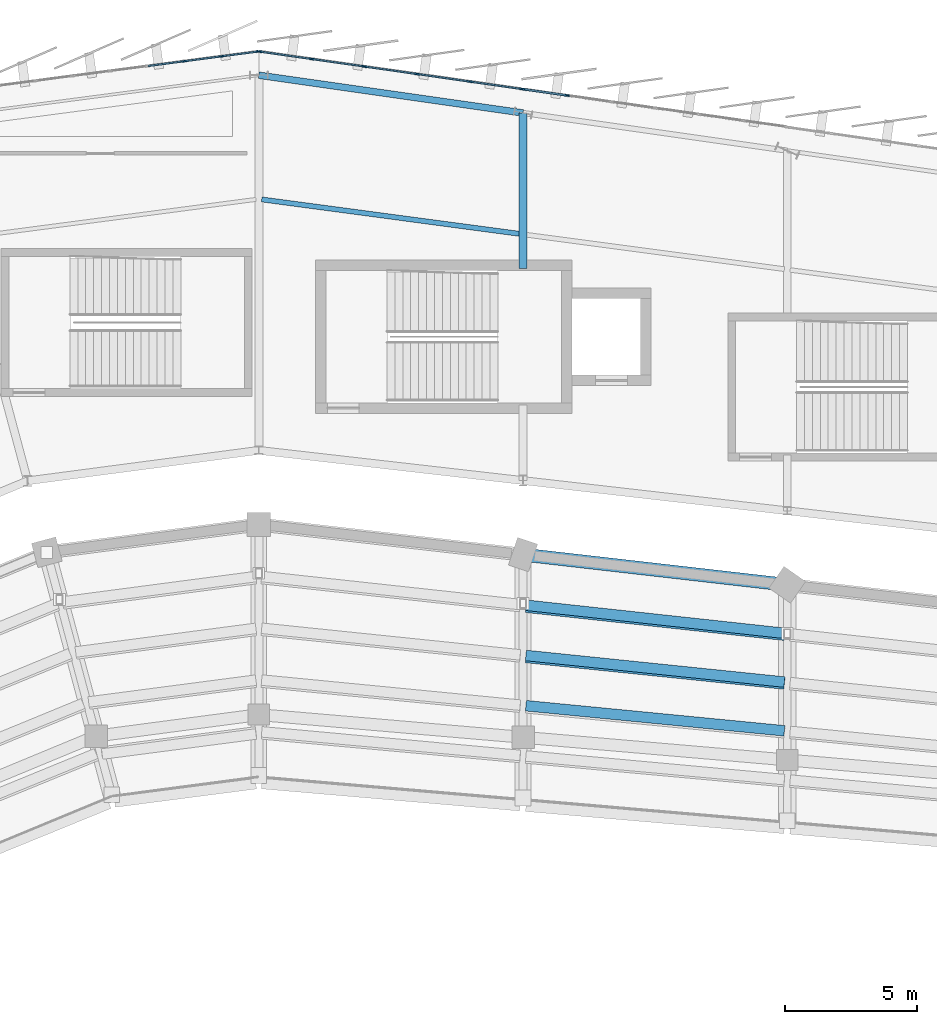
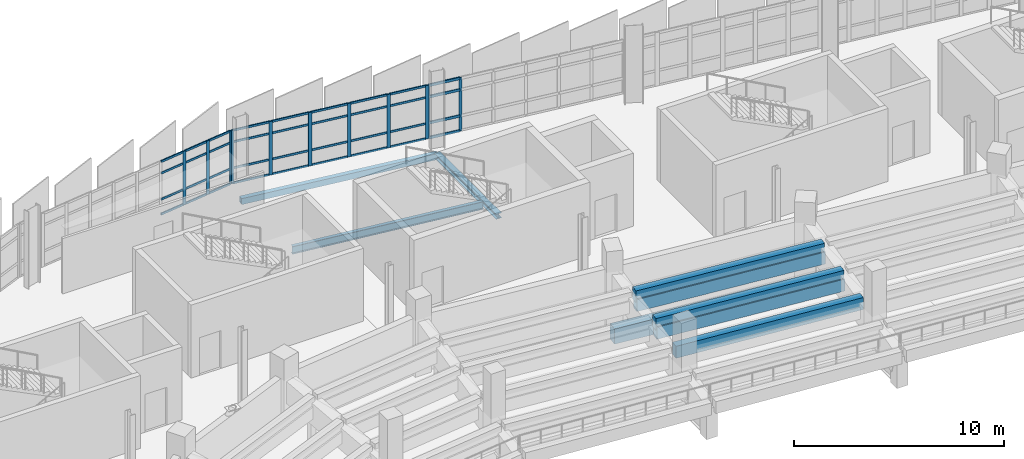
# One storey, part 52 of 120: 47 members, 9 beams, 3 elements without a shape of their own.
"""IFC4 building model written with IfcOpenShell, lengths in metres."""

import ifcopenshell
import ifcopenshell.guid

model = None  # the IFC model being written
_history = None  # IfcOwnerHistory: only IFC2X3 demands one
_inside = {}  # id of a spatial element -> (the spatial element, [elements in it])
_under = {}  # id of a project, library or spatial element -> (it, [spatial elements below it])
_declared = {}  # id of a project -> (the project, [libraries it declares])
_typed = {}  # id of a type object -> (the type object, [elements of that type])
_made_of = {}  # id of a material, layer set ... -> (it, [elements and type objects made of it])


def new_model(schema):
    """Start an empty IFC model of exactly this schema.

    Asked for "IFC4X3", IfcOpenShell would pick the latest addendum, in which some entities
    have other attributes; the version numbers below select the first issue.
    IFC2X3 requires an IfcOwnerHistory on every rooted entity: one is made here for all.
    """
    global model, _history
    if schema == "IFC4X3":
        model = ifcopenshell.file(schema_version=(4, 3, 0, 0))
    else:
        model = ifcopenshell.file(schema=schema)
    _inside.clear()
    _under.clear()
    _declared.clear()
    _typed.clear()
    _made_of.clear()
    _history = None
    if model.schema == "IFC2X3":
        org = make("IfcOrganization", Name="unknown")
        user = make(
            "IfcPersonAndOrganization",
            ThePerson=make("IfcPerson", FamilyName="unknown"),
            TheOrganization=org,
        )
        app = make(
            "IfcApplication",
            ApplicationDeveloper=org,
            Version="unknown",
            ApplicationFullName="unknown",
            ApplicationIdentifier="unknown",
        )
        _history = make(
            "IfcOwnerHistory",
            OwningUser=user,
            OwningApplication=app,
            ChangeAction="ADDED",
            CreationDate=0,
        )
    return model


def make(cls, **values):
    """One entity of the class cls with the attributes given. An attribute that is None is left unset."""
    return model.create_entity(
        cls, **{name: value for name, value in values.items() if value is not None}
    )


def rooted(cls, **values):
    """An entity with a GlobalId (a new one), such as an element, a storey or a relation."""
    return make(cls, GlobalId=ifcopenshell.guid.new(), OwnerHistory=_history, **values)


def si_unit(unit_type, name, prefix=None):
    """IfcSIUnit, for example si_unit("LENGTHUNIT", "METRE", prefix="MILLI")."""
    return make("IfcSIUnit", UnitType=unit_type, Prefix=prefix, Name=name)


def assignment(units):
    """IfcUnitAssignment: the units of a project."""
    return None if units is None else make("IfcUnitAssignment", Units=units)


def point(xyz):
    """IfcCartesianPoint."""
    return None if xyz is None else make("IfcCartesianPoint", Coordinates=xyz)


def direction(xyz):
    """IfcDirection."""
    return None if xyz is None else make("IfcDirection", DirectionRatios=xyz)


def frame(location, z_axis=None, x_axis=None):
    """IfcAxis2Placement3D, a coordinate frame: its origin and axes. An axis left out is left unset."""
    return make(
        "IfcAxis2Placement3D",
        Location=point(location),
        Axis=direction(z_axis),
        RefDirection=direction(x_axis),
    )


def frame_2d(location, x_axis=None):
    """IfcAxis2Placement2D, a coordinate frame in the plane: its origin and x axis."""
    return make(
        "IfcAxis2Placement2D", Location=point(location), RefDirection=direction(x_axis)
    )


def origin():
    """The frame at (0, 0, 0) with its axes left unset."""
    return frame((0.0, 0.0, 0.0))


def origin_2d():
    """The frame at (0, 0) in the plane with its x axis left unset."""
    return frame_2d((0.0, 0.0))


def place(relative_to, where):
    """IfcLocalPlacement: puts the frame where relative to a parent placement (None: the world)."""
    return make(
        "IfcLocalPlacement", PlacementRelTo=relative_to, RelativePlacement=where
    )


def context(
    kind, dimensions, precision=None, world=None, true_north=None, identifier=None
):
    """IfcGeometricRepresentationContext, for example the 3D "Model" context."""
    return make(
        "IfcGeometricRepresentationContext",
        ContextIdentifier=identifier,
        ContextType=kind,
        CoordinateSpaceDimension=dimensions,
        Precision=precision,
        WorldCoordinateSystem=world,
        TrueNorth=true_north,
    )


def subcontext(parent, identifier, kind, view, scale=None):
    """IfcGeometricRepresentationSubContext, for example "Body" below "Model"."""
    return make(
        "IfcGeometricRepresentationSubContext",
        ContextIdentifier=identifier,
        ContextType=kind,
        ParentContext=parent,
        TargetScale=scale,
        TargetView=view,
    )


def project(units=None, contexts=None):
    """IfcProject with its units and contexts."""
    return rooted(
        "IfcProject",
        Name="project",
        RepresentationContexts=contexts,
        UnitsInContext=assignment(units),
    )


def spatial(cls, under=None, at=None, **own):
    """A site, building, storey or space (cls), placed at a placement, below another one or the project."""
    s = rooted(cls, ObjectPlacement=at, **own)
    if under is not None:
        _under.setdefault(under.id(), (under, []))[1].append(s)
    return s


def profile(cls, at=None, kind="AREA", **sizes):
    """A parametric profile (cls). Its sizes go by their IFC names, for example OverallWidth=200.0."""
    return make(cls, ProfileType=kind, Position=at, **sizes)


def rectangle(**sizes):
    """IfcRectangleProfileDef."""
    return profile("IfcRectangleProfileDef", **sizes)


def hollow_rectangle(**sizes):
    """IfcRectangleHollowProfileDef."""
    return profile("IfcRectangleHollowProfileDef", **sizes)


def i_section(**sizes):
    """IfcIShapeProfileDef."""
    return profile("IfcIShapeProfileDef", **sizes)


def extrude(swept, where, along, depth):
    """IfcExtrudedAreaSolid: the profile swept, set in the frame where, extruded along a direction by depth."""
    return make(
        "IfcExtrudedAreaSolid",
        SweptArea=swept,
        Position=where,
        ExtrudedDirection=direction(along),
        Depth=depth,
    )


def shape(context_of_items, identifier, shape_type, items):
    """IfcShapeRepresentation: the items that make up one representation, for example the "Body"."""
    return make(
        "IfcShapeRepresentation",
        ContextOfItems=context_of_items,
        RepresentationIdentifier=identifier,
        RepresentationType=shape_type,
        Items=items,
    )


def material(Name=None, Category=None):
    """IfcMaterial."""
    return make("IfcMaterial", Name=Name, Category=Category)


def layer(
    of_material, thickness, ventilated=None, Name=None, Category=None, Priority=None
):
    """IfcMaterialLayer: one layer of a wall or slab, of a material (None: an air gap)."""
    return make(
        "IfcMaterialLayer",
        Material=of_material,
        LayerThickness=thickness,
        IsVentilated=ventilated,
        Name=Name,
        Category=Category,
        Priority=Priority,
    )


def layer_set(layers, Name=None):
    """IfcMaterialLayerSet."""
    return make("IfcMaterialLayerSet", MaterialLayers=layers, LayerSetName=Name)


def material_profile(
    of_material, cross_section, Name=None, Category=None, Priority=None
):
    """IfcMaterialProfile: a cross section and its material."""
    return make(
        "IfcMaterialProfile",
        Name=Name,
        Material=of_material,
        Profile=cross_section,
        Priority=Priority,
        Category=Category,
    )


def profile_set(profiles, Name=None, composite=None):
    """IfcMaterialProfileSet."""
    return make(
        "IfcMaterialProfileSet",
        Name=Name,
        MaterialProfiles=profiles,
        CompositeProfile=composite,
    )


def made_of(thing, what):
    """Note that an element or type object is made of a material, layer set ...; save() writes the relation."""
    if what is not None:
        _made_of.setdefault(what.id(), (what, []))[1].append(thing)
    return thing


def type_object(cls, material=None, **own):
    """A type object (cls), such as IfcWallType, which elements share."""
    return made_of(rooted(cls, **own), material)


def element(
    cls,
    number,
    at=None,
    inside=None,
    cuts=None,
    type_object=None,
    material=None,
    context=None,
    identifier="Body",
    shape_type=None,
    held_by="IfcProductDefinitionShape",
    body=None,
    shapes=None,
    **own,
):
    """One element of the class cls, such as IfcWall. Its Tag is "e" and its number.

    at: its placement. inside: the storey or other place that contains it. cuts: it is an
    opening in that element (IfcRelVoidsElement). A single representation is given by context,
    identifier, shape_type and body (its items); several are given by shapes. held_by: the class
    of the entity that holds the representations. save() writes the other relations.
    """
    e = rooted(cls, Tag="e%d" % number, ObjectPlacement=at, **own)
    if body is not None:
        shapes = [shape(context, identifier, shape_type, body)]
    if shapes is not None:
        e.Representation = make(held_by, Representations=shapes)
    if inside is not None:
        _inside.setdefault(inside.id(), (inside, []))[1].append(e)
    if cuts is not None:
        rooted(
            "IfcRelVoidsElement", RelatingBuildingElement=cuts, RelatedOpeningElement=e
        )
    if type_object is not None:
        _typed.setdefault(type_object.id(), (type_object, []))[1].append(e)
    return made_of(e, material)


def aggregate(whole, parts):
    """IfcRelAggregates: a whole, such as a stair, and the parts it consists of."""
    return rooted("IfcRelAggregates", RelatingObject=whole, RelatedObjects=parts)


def save(model, path):
    """Write the relations noted so far, then the file.

    IfcRelAggregates (storeys below a building ...), IfcRelContainedInSpatialStructure (elements
    in a storey), IfcRelDefinesByType, IfcRelAssociatesMaterial and IfcRelDeclares: one each for
    every whole, place, type object, material and project.
    """
    for whole, parts in _under.values():
        aggregate(whole, parts)
    for where, things in _inside.values():
        rooted(
            "IfcRelContainedInSpatialStructure",
            RelatedElements=things,
            RelatingStructure=where,
        )
    for kind, things in _typed.values():
        rooted("IfcRelDefinesByType", RelatedObjects=things, RelatingType=kind)
    for what, things in _made_of.values():
        rooted("IfcRelAssociatesMaterial", RelatedObjects=things, RelatingMaterial=what)
    for by, libraries in _declared.values():
        rooted("IfcRelDeclares", RelatingContext=by, RelatedDefinitions=libraries)
    model.write(path)


model = new_model("IFC4")

# Units and contexts
model_context = context("Model", 3, precision=1e-05, world=origin(), true_north=direction((0.0, 1.0)))
body_context = subcontext(model_context, "Body", "Model", "MODEL_VIEW")
ifc_project = project(units=[si_unit("LENGTHUNIT", "METRE"), si_unit("AREAUNIT", "SQUARE_METRE"), si_unit("VOLUMEUNIT", "CUBIC_METRE"), si_unit("PLANEANGLEUNIT", "RADIAN"), si_unit("MASSUNIT", "GRAM", prefix="KILO")], contexts=[model_context])

# Site, building, storey
site_placement = place(None, origin())
site = spatial("IfcSite", under=ifc_project, at=site_placement, CompositionType="ELEMENT")
building_placement = place(site_placement, origin())
building = spatial("IfcBuilding", under=site, at=building_placement, Name="Sohan Crest Arena", CompositionType="ELEMENT")
storey_placement = place(building_placement, frame((0.0, 0.0, 13.5)))
storey = spatial("IfcBuildingStorey", under=building, at=storey_placement, Name="L03", CompositionType="ELEMENT", Elevation=13.5)

# Curtain wall, members
ifc_material_1 = material(Name="Thermally broken anodised aluminium", Category="aluminium")
ifc_layer_1 = layer(ifc_material_1, 0.179931640625, Name="Thermally broken anodised aluminium")
ifc_layer_set_1 = layer_set([ifc_layer_1], Name="Thermally broken anodised aluminium")
curtain_wall_type_1 = type_object("IfcCurtainWallType", Name="ARC-CW01", PredefinedType="NOTDEFINED", material=ifc_layer_set_1)
curtain_wall_1_placement = place(storey_placement, origin())
curtain_wall_1 = element("IfcCurtainWall", 1, at=curtain_wall_1_placement, inside=storey, type_object=curtain_wall_type_1, Name="Unitised curtain wall CW-080", PredefinedType="NOTDEFINED")
ifc_material_profile_1 = material_profile(ifc_material_1, rectangle(XDim=0.06005859375, YDim=0.159912109375, at=origin_2d()), Name="ALU-MULL 60x160")
ifc_profile_set_1 = profile_set([ifc_material_profile_1], Name="Thermally broken anodised aluminium")
member_type_1 = type_object("IfcMemberType", Name="ARC-CW-ML01", PredefinedType="MULLION", material=ifc_profile_set_1)
member_1_placement = place(storey_placement, frame((97.97021484375, 126.89599609375, 0.0), z_axis=(0.0, 0.0, 1.0), x_axis=(0.130511252817, -0.991446828069, 0.0)))
member_1 = element("IfcMember", 2, at=member_1_placement, type_object=member_type_1, Name="CW-080 mullion 1", PredefinedType="MULLION", context=body_context, shape_type="SweptSolid", body=[
    extrude(rectangle(XDim=0.06005859375, YDim=0.159912109375, at=origin_2d()), origin(), (0.0, 0.0, 1.0), 3.1201171875),
])
member_2_placement = place(storey_placement, frame((96.59375, 126.71484375, 0.0), z_axis=(0.0, 0.0, 1.0), x_axis=(0.130511252817, -0.991446828069, 0.0)))
member_2 = element("IfcMember", 3, at=member_2_placement, type_object=member_type_1, Name="CW-080 mullion 2", PredefinedType="MULLION", context=body_context, shape_type="SweptSolid", body=[
    extrude(rectangle(XDim=0.06005859375, YDim=0.159912109375, at=origin_2d()), origin(), (0.0, 0.0, 1.0), 3.1201171875),
])
member_3_placement = place(storey_placement, frame((95.1875, 126.52978515625, 0.0), z_axis=(0.0, 0.0, 1.0), x_axis=(0.130511252817, -0.991446828069, 0.0)))
member_3 = element("IfcMember", 4, at=member_3_placement, type_object=member_type_1, Name="CW-080 mullion 3", PredefinedType="MULLION", context=body_context, shape_type="SweptSolid", body=[
    extrude(rectangle(XDim=0.06005859375, YDim=0.159912109375, at=origin_2d()), origin(), (0.0, 0.0, 1.0), 3.1201171875),
])

ifc_layer_2 = layer(ifc_material_1, 0.219970703125, Name="Thermally broken anodised aluminium")
ifc_layer_set_2 = layer_set([ifc_layer_2], Name="Thermally broken anodised aluminium")
curtain_wall_type_2 = type_object("IfcCurtainWallType", Name="ARC-CW03", PredefinedType="NOTDEFINED", material=ifc_layer_set_2)
curtain_wall_2_placement = place(storey_placement, origin())
curtain_wall_2 = element("IfcCurtainWall", 5, at=curtain_wall_2_placement, inside=storey, type_object=curtain_wall_type_2, Name="Unitised curtain wall CW-110", PredefinedType="NOTDEFINED")
member_4_placement = place(storey_placement, frame((109.666748046875, 125.23291015625, 0.0), z_axis=(0.0, 0.0, 1.0), x_axis=(-0.141365918403, -0.989957411768, 0.0)))
member_4 = element("IfcMember", 6, at=member_4_placement, type_object=member_type_1, Name="CW-110 mullion 6", PredefinedType="MULLION", context=body_context, shape_type="SweptSolid", body=[
    extrude(rectangle(XDim=0.06005859375, YDim=0.159912109375, at=origin_2d()), origin(), (0.0, 0.0, 1.0), 3.1201171875),
])
member_5_placement = place(storey_placement, frame((108.02978515625, 125.466796875, 0.0), z_axis=(0.0, 0.0, 1.0), x_axis=(-0.141365918403, -0.989957411768, 0.0)))
member_5 = element("IfcMember", 7, at=member_5_placement, type_object=member_type_1, Name="CW-110 mullion 7", PredefinedType="MULLION", context=body_context, shape_type="SweptSolid", body=[
    extrude(rectangle(XDim=0.06005859375, YDim=0.159912109375, at=origin_2d()), origin(), (0.0, 0.0, 1.0), 3.1201171875),
])

ifc_layer_3 = layer(ifc_material_1, 0.239990234375, Name="Thermally broken anodised aluminium")
ifc_layer_set_3 = layer_set([ifc_layer_3], Name="Thermally broken anodised aluminium")
curtain_wall_type_3 = type_object("IfcCurtainWallType", Name="ARC-CW04", PredefinedType="NOTDEFINED", material=ifc_layer_set_3)
curtain_wall_3_placement = place(storey_placement, origin())
curtain_wall_3 = element("IfcCurtainWall", 8, at=curtain_wall_3_placement, inside=storey, type_object=curtain_wall_type_3, Name="Unitised curtain wall CW-111", PredefinedType="NOTDEFINED")
ifc_material_profile_2 = material_profile(ifc_material_1, rectangle(XDim=0.06494140625, YDim=0.179931640625, at=origin_2d()), Name="ALU-MULL 65x180")
ifc_profile_set_2 = profile_set([ifc_material_profile_2], Name="Thermally broken anodised aluminium")
member_type_2 = type_object("IfcMemberType", Name="ARC-CW-ML02", PredefinedType="MULLION", material=ifc_profile_set_2)
member_6_placement = place(storey_placement, frame((107.9677734375, 125.4755859375, 0.0), z_axis=(0.0, 0.0, 1.0), x_axis=(-0.141462933734, -0.989943553128, 0.0)))
member_6 = element("IfcMember", 9, at=member_6_placement, type_object=member_type_2, Name="CW-111 mullion 1", PredefinedType="MULLION", context=body_context, shape_type="SweptSolid", body=[
    extrude(rectangle(XDim=0.06494140625, YDim=0.179931640625, at=origin_2d()), origin(), (0.0, 0.0, 1.0), 3.1201171875),
])
member_7_placement = place(storey_placement, frame((106.0, 125.7568359375, 0.0), z_axis=(0.0, 0.0, 1.0), x_axis=(-0.141462933734, -0.989943553128, 0.0)))
member_7 = element("IfcMember", 10, at=member_7_placement, type_object=member_type_2, Name="CW-111 mullion 2", PredefinedType="MULLION", context=body_context, shape_type="SweptSolid", body=[
    extrude(rectangle(XDim=0.06494140625, YDim=0.179931640625, at=origin_2d()), origin(), (0.0, 0.0, 1.0), 3.1201171875),
])
member_8_placement = place(storey_placement, frame((104.0, 126.04248046875, 0.0), z_axis=(0.0, 0.0, 1.0), x_axis=(-0.141462933734, -0.989943553128, 0.0)))
member_8 = element("IfcMember", 11, at=member_8_placement, type_object=member_type_2, Name="CW-111 mullion 3", PredefinedType="MULLION", context=body_context, shape_type="SweptSolid", body=[
    extrude(rectangle(XDim=0.06494140625, YDim=0.179931640625, at=origin_2d()), origin(), (0.0, 0.0, 1.0), 3.1201171875),
])
member_9_placement = place(storey_placement, frame((102.0, 126.328369140625, 0.0), z_axis=(0.0, 0.0, 1.0), x_axis=(-0.141462933734, -0.989943553128, 0.0)))
member_9 = element("IfcMember", 12, at=member_9_placement, type_object=member_type_2, Name="CW-111 mullion 4", PredefinedType="MULLION", context=body_context, shape_type="SweptSolid", body=[
    extrude(rectangle(XDim=0.06494140625, YDim=0.179931640625, at=origin_2d()), origin(), (0.0, 0.0, 1.0), 3.1201171875),
])
member_10_placement = place(storey_placement, frame((100.0, 126.6142578125, 0.0), z_axis=(0.0, 0.0, 1.0), x_axis=(-0.141462933734, -0.989943553128, 0.0)))
member_10 = element("IfcMember", 13, at=member_10_placement, type_object=member_type_2, Name="CW-111 mullion 5", PredefinedType="MULLION", context=body_context, shape_type="SweptSolid", body=[
    extrude(rectangle(XDim=0.06494140625, YDim=0.179931640625, at=origin_2d()), origin(), (0.0, 0.0, 1.0), 3.1201171875),
])
member_11_placement = place(storey_placement, frame((98.0322265625, 126.8955078125, 0.0), z_axis=(0.0, 0.0, 1.0), x_axis=(-0.141462933734, -0.989943553128, 0.0)))
member_11 = element("IfcMember", 14, at=member_11_placement, type_object=member_type_2, Name="CW-111 mullion 6", PredefinedType="MULLION", context=body_context, shape_type="SweptSolid", body=[
    extrude(rectangle(XDim=0.06494140625, YDim=0.179931640625, at=origin_2d()), origin(), (0.0, 0.0, 1.0), 3.1201171875),
])

# Member
ifc_material_profile_3 = material_profile(ifc_material_1, rectangle(XDim=0.06005859375, YDim=0.1201171875, at=origin_2d()), Name="ALU-TRAN 60x120")
ifc_profile_set_3 = profile_set([ifc_material_profile_3], Name="Thermally broken anodised aluminium")
member_type_3 = type_object("IfcMemberType", Name="ARC-CW-TR01", PredefinedType="USERDEFINED", material=ifc_profile_set_3)
member_12_placement = place(storey_placement, frame((97.9404296875, 126.89208984375, 0.030029296875), z_axis=(-0.991448038251, -0.130502059169, 0.0), x_axis=(0.130502059169, -0.991448038251, 0.0)))
member_12 = element("IfcMember", 15, at=member_12_placement, type_object=member_type_3, Name="CW-080 transom 1.1", ObjectType="TRANSOM", PredefinedType="USERDEFINED", context=body_context, shape_type="SweptSolid", body=[
    extrude(rectangle(XDim=0.06005859375, YDim=0.1201171875, at=origin_2d()), origin(), (0.0, 0.0, 1.0), 1.328369140625),
])

member_13_placement = place(storey_placement, frame((97.9404296875, 126.89208984375, 0.89990234375), z_axis=(-0.991448038251, -0.130502059169, 0.0), x_axis=(0.130502059169, -0.991448038251, 0.0)))
member_13 = element("IfcMember", 16, at=member_13_placement, type_object=member_type_3, Name="CW-080 transom 1.2", ObjectType="TRANSOM", PredefinedType="USERDEFINED", context=body_context, shape_type="SweptSolid", body=[
    extrude(rectangle(XDim=0.06005859375, YDim=0.1201171875, at=origin_2d()), origin(), (0.0, 0.0, 1.0), 1.328369140625),
])

member_14_placement = place(storey_placement, frame((97.9404296875, 126.89208984375, 2.419921875), z_axis=(-0.991448038251, -0.130502059169, 0.0), x_axis=(0.130502059169, -0.991448038251, 0.0)))
member_14 = element("IfcMember", 17, at=member_14_placement, type_object=member_type_3, Name="CW-080 transom 1.3", ObjectType="TRANSOM", PredefinedType="USERDEFINED", context=body_context, shape_type="SweptSolid", body=[
    extrude(rectangle(XDim=0.06005859375, YDim=0.1201171875, at=origin_2d()), origin(), (0.0, 0.0, 1.0), 1.328369140625),
])

member_15_placement = place(storey_placement, frame((97.9404296875, 126.89208984375, 3.090087890625), z_axis=(-0.991448038251, -0.130502059169, 0.0), x_axis=(0.130502059169, -0.991448038251, 0.0)))
member_15 = element("IfcMember", 18, at=member_15_placement, type_object=member_type_3, Name="CW-080 transom 1.4", ObjectType="TRANSOM", PredefinedType="USERDEFINED", context=body_context, shape_type="SweptSolid", body=[
    extrude(rectangle(XDim=0.06005859375, YDim=0.1201171875, at=origin_2d()), origin(), (0.0, 0.0, 1.0), 1.328369140625),
])

member_16_placement = place(storey_placement, frame((96.56396484375, 126.7109375, 0.030029296875), z_axis=(-0.991449400613, -0.130491708638, 0.0), x_axis=(0.130491708638, -0.991449400613, 0.0)))
member_16 = element("IfcMember", 19, at=member_16_placement, type_object=member_type_3, Name="CW-080 transom 2.1", ObjectType="TRANSOM", PredefinedType="USERDEFINED", context=body_context, shape_type="SweptSolid", body=[
    extrude(rectangle(XDim=0.06005859375, YDim=0.1201171875, at=origin_2d()), origin(), (0.0, 0.0, 1.0), 1.3583984375),
])

member_17_placement = place(storey_placement, frame((96.56396484375, 126.7109375, 0.89990234375), z_axis=(-0.991449400613, -0.130491708638, 0.0), x_axis=(0.130491708638, -0.991449400613, 0.0)))
member_17 = element("IfcMember", 20, at=member_17_placement, type_object=member_type_3, Name="CW-080 transom 2.2", ObjectType="TRANSOM", PredefinedType="USERDEFINED", context=body_context, shape_type="SweptSolid", body=[
    extrude(rectangle(XDim=0.06005859375, YDim=0.1201171875, at=origin_2d()), origin(), (0.0, 0.0, 1.0), 1.3583984375),
])

member_18_placement = place(storey_placement, frame((96.56396484375, 126.7109375, 2.419921875), z_axis=(-0.991449400613, -0.130491708638, 0.0), x_axis=(0.130491708638, -0.991449400613, 0.0)))
member_18 = element("IfcMember", 21, at=member_18_placement, type_object=member_type_3, Name="CW-080 transom 2.3", ObjectType="TRANSOM", PredefinedType="USERDEFINED", context=body_context, shape_type="SweptSolid", body=[
    extrude(rectangle(XDim=0.06005859375, YDim=0.1201171875, at=origin_2d()), origin(), (0.0, 0.0, 1.0), 1.3583984375),
])

member_19_placement = place(storey_placement, frame((96.56396484375, 126.7109375, 3.090087890625), z_axis=(-0.991449400613, -0.130491708638, 0.0), x_axis=(0.130491708638, -0.991449400613, 0.0)))
member_19 = element("IfcMember", 22, at=member_19_placement, type_object=member_type_3, Name="CW-080 transom 2.4", ObjectType="TRANSOM", PredefinedType="USERDEFINED", context=body_context, shape_type="SweptSolid", body=[
    extrude(rectangle(XDim=0.06005859375, YDim=0.1201171875, at=origin_2d()), origin(), (0.0, 0.0, 1.0), 1.3583984375),
])

member_20_placement = place(storey_placement, frame((95.15771484375, 126.52587890625, 0.030029296875), z_axis=(-0.991449400613, -0.130491708638, 0.0), x_axis=(0.130491708638, -0.991449400613, 0.0)))
member_20 = element("IfcMember", 23, at=member_20_placement, type_object=member_type_3, Name="CW-080 transom 3.1", ObjectType="TRANSOM", PredefinedType="USERDEFINED", context=body_context, shape_type="SweptSolid", body=[
    extrude(rectangle(XDim=0.06005859375, YDim=0.1201171875, at=origin_2d()), origin(), (0.0, 0.0, 1.0), 1.3583984375),
])

member_21_placement = place(storey_placement, frame((95.15771484375, 126.52587890625, 0.89990234375), z_axis=(-0.991449400613, -0.130491708638, 0.0), x_axis=(0.130491708638, -0.991449400613, 0.0)))
member_21 = element("IfcMember", 24, at=member_21_placement, type_object=member_type_3, Name="CW-080 transom 3.2", ObjectType="TRANSOM", PredefinedType="USERDEFINED", context=body_context, shape_type="SweptSolid", body=[
    extrude(rectangle(XDim=0.06005859375, YDim=0.1201171875, at=origin_2d()), origin(), (0.0, 0.0, 1.0), 1.3583984375),
])

member_22_placement = place(storey_placement, frame((95.15771484375, 126.52587890625, 2.419921875), z_axis=(-0.991449400613, -0.130491708638, 0.0), x_axis=(0.130491708638, -0.991449400613, 0.0)))
member_22 = element("IfcMember", 25, at=member_22_placement, type_object=member_type_3, Name="CW-080 transom 3.3", ObjectType="TRANSOM", PredefinedType="USERDEFINED", context=body_context, shape_type="SweptSolid", body=[
    extrude(rectangle(XDim=0.06005859375, YDim=0.1201171875, at=origin_2d()), origin(), (0.0, 0.0, 1.0), 1.3583984375),
])

member_23_placement = place(storey_placement, frame((95.15771484375, 126.52587890625, 3.090087890625), z_axis=(-0.991449400613, -0.130491708638, 0.0), x_axis=(0.130491708638, -0.991449400613, 0.0)))
member_23 = element("IfcMember", 26, at=member_23_placement, type_object=member_type_3, Name="CW-080 transom 3.4", ObjectType="TRANSOM", PredefinedType="USERDEFINED", context=body_context, shape_type="SweptSolid", body=[
    extrude(rectangle(XDim=0.06005859375, YDim=0.1201171875, at=origin_2d()), origin(), (0.0, 0.0, 1.0), 1.3583984375),
])

aggregate(curtain_wall_1, [member_1, member_2, member_3, member_12, member_13, member_14, member_15, member_16, member_17, member_18, member_19, member_20, member_21, member_22, member_23])

member_24_placement = place(storey_placement, frame((107.935546875, 125.480224609375, 0.030029296875), z_axis=(-0.98994441378, 0.141456910845, 0.0), x_axis=(-0.141456910845, -0.98994441378, 0.0)))
member_24 = element("IfcMember", 27, at=member_24_placement, type_object=member_type_3, Name="CW-111 transom 1.1", ObjectType="TRANSOM", PredefinedType="USERDEFINED", context=body_context, shape_type="SweptSolid", body=[
    extrude(rectangle(XDim=0.06005859375, YDim=0.1201171875, at=origin_2d()), origin(), (0.0, 0.0, 1.0), 1.922607421875),
])

member_25_placement = place(storey_placement, frame((107.935546875, 125.480224609375, 0.89990234375), z_axis=(-0.98994441378, 0.141456910845, 0.0), x_axis=(-0.141456910845, -0.98994441378, 0.0)))
member_25 = element("IfcMember", 28, at=member_25_placement, type_object=member_type_3, Name="CW-111 transom 1.2", ObjectType="TRANSOM", PredefinedType="USERDEFINED", context=body_context, shape_type="SweptSolid", body=[
    extrude(rectangle(XDim=0.06005859375, YDim=0.1201171875, at=origin_2d()), origin(), (0.0, 0.0, 1.0), 1.922607421875),
])

member_26_placement = place(storey_placement, frame((107.935546875, 125.480224609375, 2.419921875), z_axis=(-0.98994441378, 0.141456910845, 0.0), x_axis=(-0.141456910845, -0.98994441378, 0.0)))
member_26 = element("IfcMember", 29, at=member_26_placement, type_object=member_type_3, Name="CW-111 transom 1.3", ObjectType="TRANSOM", PredefinedType="USERDEFINED", context=body_context, shape_type="SweptSolid", body=[
    extrude(rectangle(XDim=0.06005859375, YDim=0.1201171875, at=origin_2d()), origin(), (0.0, 0.0, 1.0), 1.922607421875),
])

member_27_placement = place(storey_placement, frame((107.935546875, 125.480224609375, 3.090087890625), z_axis=(-0.98994441378, 0.141456910845, 0.0), x_axis=(-0.141456910845, -0.98994441378, 0.0)))
member_27 = element("IfcMember", 30, at=member_27_placement, type_object=member_type_3, Name="CW-111 transom 1.4", ObjectType="TRANSOM", PredefinedType="USERDEFINED", context=body_context, shape_type="SweptSolid", body=[
    extrude(rectangle(XDim=0.06005859375, YDim=0.1201171875, at=origin_2d()), origin(), (0.0, 0.0, 1.0), 1.922607421875),
])

member_28_placement = place(storey_placement, frame((105.9677734375, 125.761474609375, 0.030029296875), z_axis=(-0.989942000279, 0.141473799989, 0.0), x_axis=(-0.141473799989, -0.989942000279, 0.0)))
member_28 = element("IfcMember", 31, at=member_28_placement, type_object=member_type_3, Name="CW-111 transom 2.1", ObjectType="TRANSOM", PredefinedType="USERDEFINED", context=body_context, shape_type="SweptSolid", body=[
    extrude(rectangle(XDim=0.06005859375, YDim=0.1201171875, at=origin_2d()), origin(), (0.0, 0.0, 1.0), 1.955322265625),
])

member_29_placement = place(storey_placement, frame((105.9677734375, 125.761474609375, 0.89990234375), z_axis=(-0.989942000279, 0.141473799989, 0.0), x_axis=(-0.141473799989, -0.989942000279, 0.0)))
member_29 = element("IfcMember", 32, at=member_29_placement, type_object=member_type_3, Name="CW-111 transom 2.2", ObjectType="TRANSOM", PredefinedType="USERDEFINED", context=body_context, shape_type="SweptSolid", body=[
    extrude(rectangle(XDim=0.06005859375, YDim=0.1201171875, at=origin_2d()), origin(), (0.0, 0.0, 1.0), 1.955322265625),
])

member_30_placement = place(storey_placement, frame((105.9677734375, 125.761474609375, 2.419921875), z_axis=(-0.989942000279, 0.141473799989, 0.0), x_axis=(-0.141473799989, -0.989942000279, 0.0)))
member_30 = element("IfcMember", 33, at=member_30_placement, type_object=member_type_3, Name="CW-111 transom 2.3", ObjectType="TRANSOM", PredefinedType="USERDEFINED", context=body_context, shape_type="SweptSolid", body=[
    extrude(rectangle(XDim=0.06005859375, YDim=0.1201171875, at=origin_2d()), origin(), (0.0, 0.0, 1.0), 1.955322265625),
])

member_31_placement = place(storey_placement, frame((105.9677734375, 125.761474609375, 3.090087890625), z_axis=(-0.989942000279, 0.141473799989, 0.0), x_axis=(-0.141473799989, -0.989942000279, 0.0)))
member_31 = element("IfcMember", 34, at=member_31_placement, type_object=member_type_3, Name="CW-111 transom 2.4", ObjectType="TRANSOM", PredefinedType="USERDEFINED", context=body_context, shape_type="SweptSolid", body=[
    extrude(rectangle(XDim=0.06005859375, YDim=0.1201171875, at=origin_2d()), origin(), (0.0, 0.0, 1.0), 1.955322265625),
])

member_32_placement = place(storey_placement, frame((103.9677734375, 126.047119140625, 0.030029296875), z_axis=(-0.989942000279, 0.141473799989, 0.0), x_axis=(-0.141473799989, -0.989942000279, 0.0)))
member_32 = element("IfcMember", 35, at=member_32_placement, type_object=member_type_3, Name="CW-111 transom 3.1", ObjectType="TRANSOM", PredefinedType="USERDEFINED", context=body_context, shape_type="SweptSolid", body=[
    extrude(rectangle(XDim=0.06005859375, YDim=0.1201171875, at=origin_2d()), origin(), (0.0, 0.0, 1.0), 1.955322265625),
])

member_33_placement = place(storey_placement, frame((103.9677734375, 126.047119140625, 0.89990234375), z_axis=(-0.989942000279, 0.141473799989, 0.0), x_axis=(-0.141473799989, -0.989942000279, 0.0)))
member_33 = element("IfcMember", 36, at=member_33_placement, type_object=member_type_3, Name="CW-111 transom 3.2", ObjectType="TRANSOM", PredefinedType="USERDEFINED", context=body_context, shape_type="SweptSolid", body=[
    extrude(rectangle(XDim=0.06005859375, YDim=0.1201171875, at=origin_2d()), origin(), (0.0, 0.0, 1.0), 1.955322265625),
])

member_34_placement = place(storey_placement, frame((103.9677734375, 126.047119140625, 2.419921875), z_axis=(-0.989942000279, 0.141473799989, 0.0), x_axis=(-0.141473799989, -0.989942000279, 0.0)))
member_34 = element("IfcMember", 37, at=member_34_placement, type_object=member_type_3, Name="CW-111 transom 3.3", ObjectType="TRANSOM", PredefinedType="USERDEFINED", context=body_context, shape_type="SweptSolid", body=[
    extrude(rectangle(XDim=0.06005859375, YDim=0.1201171875, at=origin_2d()), origin(), (0.0, 0.0, 1.0), 1.955322265625),
])

member_35_placement = place(storey_placement, frame((103.9677734375, 126.047119140625, 3.090087890625), z_axis=(-0.989942000279, 0.141473799989, 0.0), x_axis=(-0.141473799989, -0.989942000279, 0.0)))
member_35 = element("IfcMember", 38, at=member_35_placement, type_object=member_type_3, Name="CW-111 transom 3.4", ObjectType="TRANSOM", PredefinedType="USERDEFINED", context=body_context, shape_type="SweptSolid", body=[
    extrude(rectangle(XDim=0.06005859375, YDim=0.1201171875, at=origin_2d()), origin(), (0.0, 0.0, 1.0), 1.955322265625),
])

member_36_placement = place(storey_placement, frame((101.9677734375, 126.3330078125, 0.030029296875), z_axis=(-0.989942000279, 0.141473799989, 0.0), x_axis=(-0.141473799989, -0.989942000279, 0.0)))
member_36 = element("IfcMember", 39, at=member_36_placement, type_object=member_type_3, Name="CW-111 transom 4.1", ObjectType="TRANSOM", PredefinedType="USERDEFINED", context=body_context, shape_type="SweptSolid", body=[
    extrude(rectangle(XDim=0.06005859375, YDim=0.1201171875, at=origin_2d()), origin(), (0.0, 0.0, 1.0), 1.955322265625),
])

member_37_placement = place(storey_placement, frame((101.9677734375, 126.3330078125, 0.89990234375), z_axis=(-0.989942000279, 0.141473799989, 0.0), x_axis=(-0.141473799989, -0.989942000279, 0.0)))
member_37 = element("IfcMember", 40, at=member_37_placement, type_object=member_type_3, Name="CW-111 transom 4.2", ObjectType="TRANSOM", PredefinedType="USERDEFINED", context=body_context, shape_type="SweptSolid", body=[
    extrude(rectangle(XDim=0.06005859375, YDim=0.1201171875, at=origin_2d()), origin(), (0.0, 0.0, 1.0), 1.955322265625),
])

member_38_placement = place(storey_placement, frame((101.9677734375, 126.3330078125, 2.419921875), z_axis=(-0.989942000279, 0.141473799989, 0.0), x_axis=(-0.141473799989, -0.989942000279, 0.0)))
member_38 = element("IfcMember", 41, at=member_38_placement, type_object=member_type_3, Name="CW-111 transom 4.3", ObjectType="TRANSOM", PredefinedType="USERDEFINED", context=body_context, shape_type="SweptSolid", body=[
    extrude(rectangle(XDim=0.06005859375, YDim=0.1201171875, at=origin_2d()), origin(), (0.0, 0.0, 1.0), 1.955322265625),
])

member_39_placement = place(storey_placement, frame((101.9677734375, 126.3330078125, 3.090087890625), z_axis=(-0.989942000279, 0.141473799989, 0.0), x_axis=(-0.141473799989, -0.989942000279, 0.0)))
member_39 = element("IfcMember", 42, at=member_39_placement, type_object=member_type_3, Name="CW-111 transom 4.4", ObjectType="TRANSOM", PredefinedType="USERDEFINED", context=body_context, shape_type="SweptSolid", body=[
    extrude(rectangle(XDim=0.06005859375, YDim=0.1201171875, at=origin_2d()), origin(), (0.0, 0.0, 1.0), 1.955322265625),
])

member_40_placement = place(storey_placement, frame((99.9677734375, 126.618896484375, 0.030029296875), z_axis=(-0.98994441378, 0.141456910845, 0.0), x_axis=(-0.141456910845, -0.98994441378, 0.0)))
member_40 = element("IfcMember", 43, at=member_40_placement, type_object=member_type_3, Name="CW-111 transom 5.1", ObjectType="TRANSOM", PredefinedType="USERDEFINED", context=body_context, shape_type="SweptSolid", body=[
    extrude(rectangle(XDim=0.06005859375, YDim=0.1201171875, at=origin_2d()), origin(), (0.0, 0.0, 1.0), 1.922607421875),
])

member_41_placement = place(storey_placement, frame((99.9677734375, 126.618896484375, 0.89990234375), z_axis=(-0.98994441378, 0.141456910845, 0.0), x_axis=(-0.141456910845, -0.98994441378, 0.0)))
member_41 = element("IfcMember", 44, at=member_41_placement, type_object=member_type_3, Name="CW-111 transom 5.2", ObjectType="TRANSOM", PredefinedType="USERDEFINED", context=body_context, shape_type="SweptSolid", body=[
    extrude(rectangle(XDim=0.06005859375, YDim=0.1201171875, at=origin_2d()), origin(), (0.0, 0.0, 1.0), 1.922607421875),
])

member_42_placement = place(storey_placement, frame((99.9677734375, 126.618896484375, 2.419921875), z_axis=(-0.98994441378, 0.141456910845, 0.0), x_axis=(-0.141456910845, -0.98994441378, 0.0)))
member_42 = element("IfcMember", 45, at=member_42_placement, type_object=member_type_3, Name="CW-111 transom 5.3", ObjectType="TRANSOM", PredefinedType="USERDEFINED", context=body_context, shape_type="SweptSolid", body=[
    extrude(rectangle(XDim=0.06005859375, YDim=0.1201171875, at=origin_2d()), origin(), (0.0, 0.0, 1.0), 1.922607421875),
])

member_43_placement = place(storey_placement, frame((99.9677734375, 126.618896484375, 3.090087890625), z_axis=(-0.98994441378, 0.141456910845, 0.0), x_axis=(-0.141456910845, -0.98994441378, 0.0)))
member_43 = element("IfcMember", 46, at=member_43_placement, type_object=member_type_3, Name="CW-111 transom 5.4", ObjectType="TRANSOM", PredefinedType="USERDEFINED", context=body_context, shape_type="SweptSolid", body=[
    extrude(rectangle(XDim=0.06005859375, YDim=0.1201171875, at=origin_2d()), origin(), (0.0, 0.0, 1.0), 1.922607421875),
])

aggregate(curtain_wall_3, [member_6, member_7, member_8, member_9, member_10, member_11, member_24, member_25, member_26, member_27, member_28, member_29, member_30, member_31, member_32, member_33, member_34, member_35, member_36, member_37, member_38, member_39, member_40, member_41, member_42, member_43])

ifc_material_profile_4 = material_profile(ifc_material_1, rectangle(XDim=0.070068359375, YDim=0.14990234375, at=origin_2d()), Name="ALU-TRAN 70x150")
ifc_profile_set_4 = profile_set([ifc_material_profile_4], Name="Thermally broken anodised aluminium")
member_type_4 = type_object("IfcMemberType", Name="ARC-CW-TR03", PredefinedType="USERDEFINED", material=ifc_profile_set_4)
member_44_placement = place(storey_placement, frame((109.636962890625, 125.2373046875, 0.034912109375), z_axis=(-0.989973990682, 0.141249770877, 0.0), x_axis=(-0.141249770877, -0.989973990682, 0.0)))
member_44 = element("IfcMember", 47, at=member_44_placement, type_object=member_type_4, Name="CW-110 transom 6.1", ObjectType="TRANSOM", PredefinedType="USERDEFINED", context=body_context, shape_type="SweptSolid", body=[
    extrude(rectangle(XDim=0.070068359375, YDim=0.14990234375, at=origin_2d()), origin(), (0.0, 0.0, 1.0), 1.593505859375),
])

member_45_placement = place(storey_placement, frame((109.636962890625, 125.2373046875, 0.89990234375), z_axis=(-0.989973990682, 0.141249770877, 0.0), x_axis=(-0.141249770877, -0.989973990682, 0.0)))
member_45 = element("IfcMember", 48, at=member_45_placement, type_object=member_type_4, Name="CW-110 transom 6.2", ObjectType="TRANSOM", PredefinedType="USERDEFINED", context=body_context, shape_type="SweptSolid", body=[
    extrude(rectangle(XDim=0.070068359375, YDim=0.14990234375, at=origin_2d()), origin(), (0.0, 0.0, 1.0), 1.593505859375),
])

member_46_placement = place(storey_placement, frame((109.636962890625, 125.2373046875, 2.419921875), z_axis=(-0.989973990682, 0.141249770877, 0.0), x_axis=(-0.141249770877, -0.989973990682, 0.0)))
member_46 = element("IfcMember", 49, at=member_46_placement, type_object=member_type_4, Name="CW-110 transom 6.3", ObjectType="TRANSOM", PredefinedType="USERDEFINED", context=body_context, shape_type="SweptSolid", body=[
    extrude(rectangle(XDim=0.070068359375, YDim=0.14990234375, at=origin_2d()), origin(), (0.0, 0.0, 1.0), 1.593505859375),
])

member_47_placement = place(storey_placement, frame((109.636962890625, 125.2373046875, 3.0849609375), z_axis=(-0.989973990682, 0.141249770877, 0.0), x_axis=(-0.141249770877, -0.989973990682, 0.0)))
member_47 = element("IfcMember", 50, at=member_47_placement, type_object=member_type_4, Name="CW-110 transom 6.4", ObjectType="TRANSOM", PredefinedType="USERDEFINED", context=body_context, shape_type="SweptSolid", body=[
    extrude(rectangle(XDim=0.070068359375, YDim=0.14990234375, at=origin_2d()), origin(), (0.0, 0.0, 1.0), 1.593505859375),
])

aggregate(curtain_wall_2, [member_4, member_5, member_44, member_45, member_46, member_47])

# Beams
ifc_material_2 = material(Name="Steel S355", Category="steel")
ifc_material_profile_5 = material_profile(ifc_material_2, i_section(OverallWidth=0.18994140625, OverallDepth=0.449951171875, WebThickness=0.009521484375, FlangeThickness=0.0146484375, at=origin_2d()), Name="IPE 450")
ifc_profile_set_5 = profile_set([ifc_material_profile_5], Name="Steel S355")
beam_type_1 = type_object("IfcBeamType", Name="STR-BM-B04", PredefinedType="JOIST", material=ifc_profile_set_5)
beam_1_placement = place(storey_placement, frame((107.89111328125, 119.993896484375, -0.47509765625), z_axis=(-0.991216229825, 0.132251222039, 0.0), x_axis=(-0.132251222039, -0.991216229825, 0.0)))
element("IfcBeam", 51, at=beam_1_placement, inside=storey, type_object=beam_type_1, Name="Structural beam J-L03-1552", PredefinedType="JOIST", context=body_context, shape_type="SweptSolid", body=[
    extrude(i_section(OverallWidth=0.18994140625, OverallDepth=0.449951171875, WebThickness=0.009521484375, FlangeThickness=0.0146484375, at=origin_2d()), origin(), (0.0, 0.0, 1.0), 9.868896484375),
])
ifc_material_profile_6 = material_profile(ifc_material_2, i_section(OverallWidth=0.300048828125, OverallDepth=0.300048828125, WebThickness=0.010986328125, FlangeThickness=0.01904296875, at=origin_2d()), Name="HEB 300")
ifc_profile_set_6 = profile_set([ifc_material_profile_6], Name="Steel S355")
beam_type_2 = type_object("IfcBeamType", Name="STR-BM-B12", PredefinedType="BEAM", material=ifc_profile_set_6)
beam_2_placement = place(storey_placement, frame((108.0, 118.679931640625, -0.39990234375), z_axis=(0.0, 1.0, 0.0), x_axis=(-1.0, 0.0, 0.0)))
element("IfcBeam", 52, at=beam_2_placement, inside=storey, type_object=beam_type_2, Name="Structural beam G-L03-1549", PredefinedType="BEAM", context=body_context, shape_type="SweptSolid", body=[
    extrude(i_section(OverallWidth=0.300048828125, OverallDepth=0.300048828125, WebThickness=0.010986328125, FlangeThickness=0.01904296875, at=origin_2d()), origin(), (0.0, 0.0, 1.0), 5.89111328125),
])
ifc_material_profile_7 = material_profile(ifc_material_2, hollow_rectangle(XDim=0.25, YDim=0.35009765625, WallThickness=0.012451171875, at=origin_2d()), Name="RHS 350x250x12.5")
ifc_profile_set_7 = profile_set([ifc_material_profile_7], Name="Steel S355")
beam_type_3 = type_object("IfcBeamType", Name="STR-BM-SP04", PredefinedType="SPANDREL", material=ifc_profile_set_7)
beam_3_placement = place(storey_placement, frame((108.0, 124.571044921875, -0.425048828125), z_axis=(-0.989944175879, 0.141458575718, 0.0), x_axis=(-0.141458575718, -0.989944175879, 0.0)))
element("IfcBeam", 53, at=beam_3_placement, inside=storey, type_object=beam_type_3, Name="Structural beam SP-L03-1551", PredefinedType="SPANDREL", context=body_context, shape_type="SweptSolid", body=[
    extrude(hollow_rectangle(XDim=0.25, YDim=0.35009765625, WallThickness=0.012451171875, at=origin_2d()), origin(), (0.0, 0.0, 1.0), 10.1015625),
])
ifc_material_3 = material(Name="Concrete C40/50", Category="concrete")
ifc_material_profile_8 = material_profile(ifc_material_3, rectangle(XDim=0.39990234375, YDim=0.699951171875, at=origin_2d()), Name="RC-BM 400x700")
ifc_profile_set_8 = profile_set([ifc_material_profile_8], Name="Concrete C40/50")
beam_type_4 = type_object("IfcBeamType", Name="STR-BM-TB01", PredefinedType="BEAM", material=ifc_profile_set_8)
beam_4_placement = place(storey_placement, frame((117.89111328125, 101.18798828125, 1.77587890625), z_axis=(-0.995317921659, 0.096655236927, 0.0), x_axis=(-0.096655236927, -0.995317921659, 0.0)))
element("IfcBeam", 54, at=beam_4_placement, inside=storey, type_object=beam_type_4, Name="Upper tier front stringer TSB-U253A", PredefinedType="BEAM", context=body_context, shape_type="SweptSolid", body=[
    extrude(rectangle(XDim=0.39990234375, YDim=0.699951171875, at=origin_2d()), origin(), (0.0, 0.0, 1.0), 9.828125),
])
for number, where, z_axis, x_axis, name in (
    (55, (117.89111328125, 102.9599609375, 1.77587890625), (-0.994772712373, 0.102113910502, 0.0), (-0.102113910502, -0.994772712373, 0.0), "Upper tier rear stringer TSB-U253B"),
    (56, (117.89111328125, 103.033935546875, 2.236083984375), (-0.994752517837, 0.102310450384, 0.0), (-0.102310450384, -0.994752517837, 0.0), "Upper tier front stringer TSB-U254A"),
):
    element("IfcBeam", number, at=place(storey_placement, frame(where, z_axis=z_axis, x_axis=x_axis)), inside=storey, type_object=beam_type_4, Name=name, PredefinedType="BEAM", context=body_context, shape_type="SweptSolid", body=[
        extrude(rectangle(XDim=0.39990234375, YDim=0.699951171875, at=origin_2d()), origin(), (0.0, 0.0, 1.0), 9.833740234375),
    ])
beam_5_placement = place(storey_placement, frame((117.89111328125, 104.806884765625, 2.236083984375), z_axis=(-0.994190266823, 0.107636951619, 0.0), x_axis=(-0.107636951619, -0.994190266823, 0.0)))
element("IfcBeam", 57, at=beam_5_placement, inside=storey, type_object=beam_type_4, Name="Upper tier rear stringer TSB-U254B", PredefinedType="BEAM", context=body_context, shape_type="SweptSolid", body=[
    extrude(rectangle(XDim=0.39990234375, YDim=0.699951171875, at=origin_2d()), origin(), (0.0, 0.0, 1.0), 9.83935546875),
])
beam_6_placement = place(storey_placement, frame((117.89111328125, 104.8798828125, 2.696044921875), z_axis=(-0.994158361485, 0.107931238706, 0.0), x_axis=(-0.107931238706, -0.994158361485, 0.0)))
element("IfcBeam", 58, at=beam_6_placement, inside=storey, type_object=beam_type_4, Name="Upper tier front stringer TSB-U255A", PredefinedType="BEAM", context=body_context, shape_type="SweptSolid", body=[
    extrude(rectangle(XDim=0.39990234375, YDim=0.699951171875, at=origin_2d()), origin(), (0.0, 0.0, 1.0), 9.839599609375),
])
ifc_material_profile_9 = material_profile(ifc_material_3, rectangle(XDim=0.5, YDim=0.89990234375, at=origin_2d()), Name="RC-BM 500x900")
ifc_profile_set_9 = profile_set([ifc_material_profile_9], Name="Concrete C40/50")
beam_type_5 = type_object("IfcBeamType", Name="STR-BM-TB03", PredefinedType="BEAM", material=ifc_profile_set_9)
beam_7_placement = place(storey_placement, frame((118.0, 106.714111328125, -0.699951171875), z_axis=(-0.993533063564, 0.113543170668, 0.0), x_axis=(-0.113543170668, -0.993533063564, 0.0)))
element("IfcBeam", 59, at=beam_7_placement, inside=storey, type_object=beam_type_5, Name="Structural beam TB-L03-0785", PredefinedType="BEAM", context=body_context, shape_type="SweptSolid", body=[
    extrude(rectangle(XDim=0.5, YDim=0.89990234375, at=origin_2d()), origin(), (0.0, 0.0, 1.0), 10.065185546875),
])

save(model, "model.ifc")
